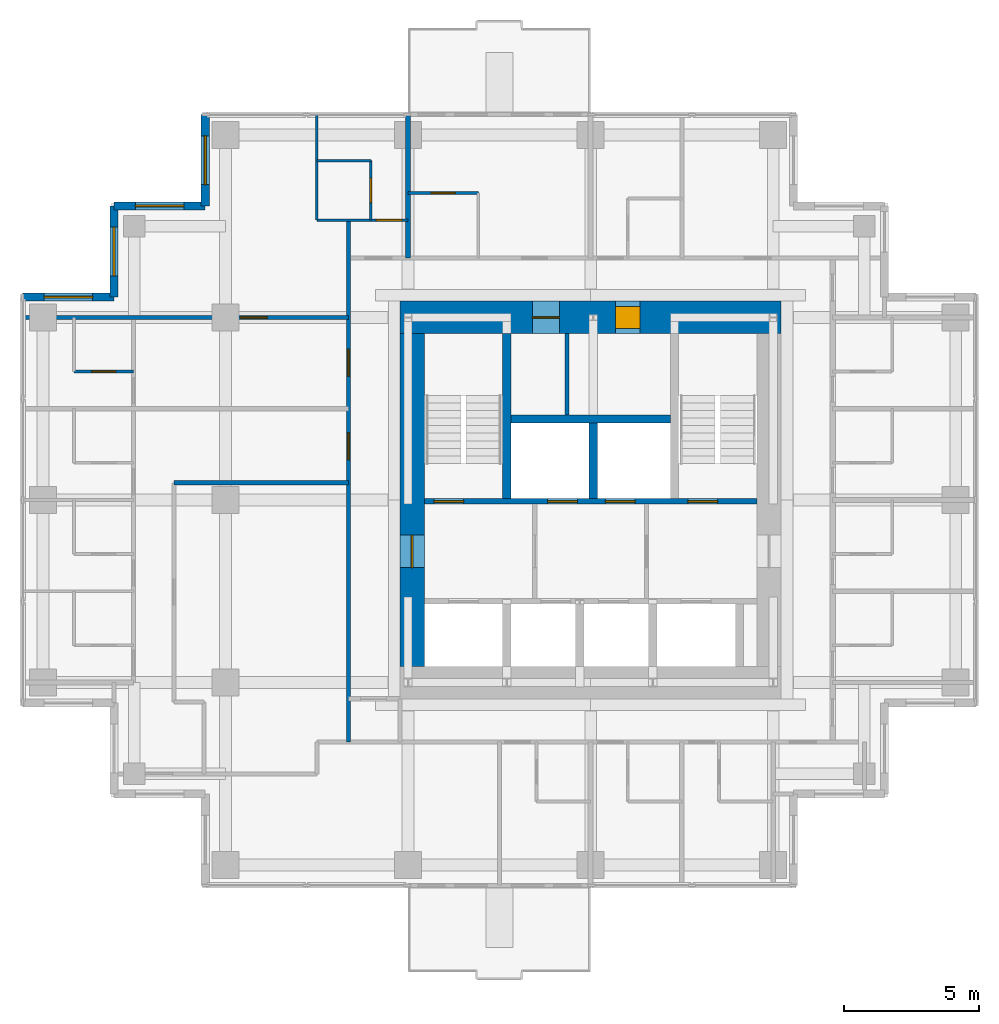
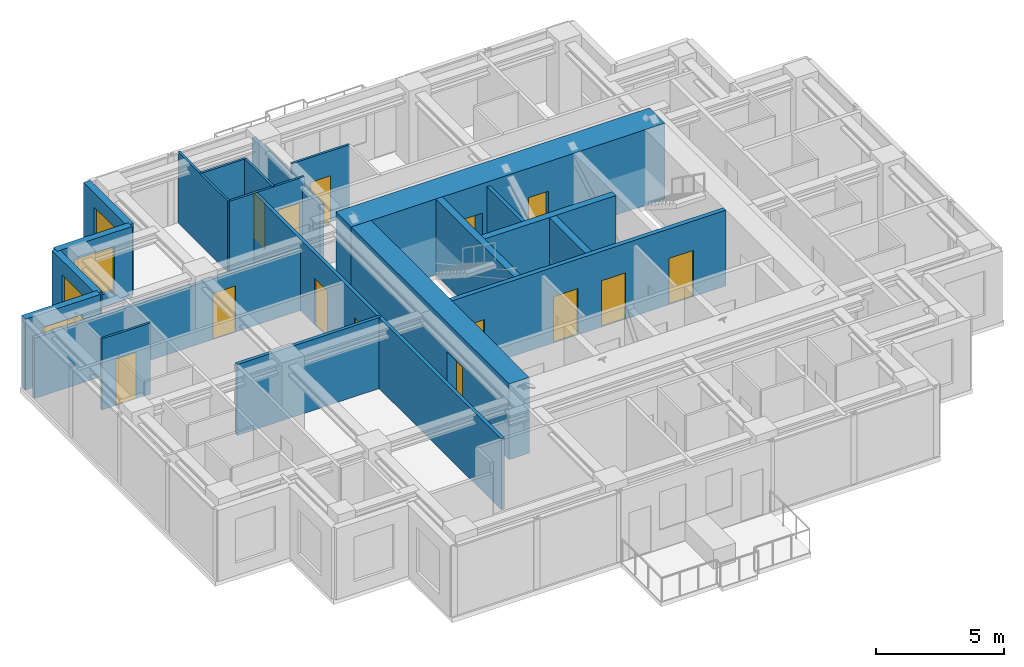
# One storey, part 5 of 8: 21 walls, 14 doors, 4 windows, 18 openings.
"""IFC4 building model written with IfcOpenShell, lengths in metres."""

from ifc_helpers import new_model, si_unit, direction, frame, frame_2d, origin, place, context, subcontext, project, spatial, rectangle, extrude, material, layer, layer_set, type_object, element, fill, save


model = new_model("IFC4")

# Units and contexts
model_context = context("Model", 3, precision=1e-05, world=origin(), true_north=direction((0.0, 1.0)))
body_context = subcontext(model_context, "Body", "Model", "MODEL_VIEW")
ifc_project = project(units=[si_unit("LENGTHUNIT", "METRE"), si_unit("AREAUNIT", "SQUARE_METRE"), si_unit("VOLUMEUNIT", "CUBIC_METRE"), si_unit("PLANEANGLEUNIT", "RADIAN"), si_unit("MASSUNIT", "GRAM", prefix="KILO")], contexts=[model_context])

# Site, building, storey
site_placement = place(None, origin())
site = spatial("IfcSite", under=ifc_project, at=site_placement, CompositionType="ELEMENT")
building_placement = place(site_placement, origin())
building = spatial("IfcBuilding", under=site, at=building_placement, Name="Nyansa Garden Tower", CompositionType="ELEMENT")
storey_placement = place(building_placement, frame((0.0, 0.0, 240.300048828125)))
storey = spatial("IfcBuildingStorey", under=building, at=storey_placement, Name="L65", CompositionType="ELEMENT", Elevation=240.300048828125)

# Wall
ifc_material_1 = material(Name="Dense blockwork, plastered both sides, 55 dB", Category="masonry")
ifc_layer_1 = layer(ifc_material_1, 0.175048828125)
ifc_layer_set_1 = layer_set([ifc_layer_1], Name="Acoustic party wall PW175")
wall_type_1 = type_object("IfcWallType", Name="Acoustic party wall PW175", PredefinedType="PARTITIONING", material=ifc_layer_set_1)
wall_1_placement = place(storey_placement, frame((13.5, 29.199951171875, 0.0), z_axis=(0.0, 0.0, 1.0), x_axis=(0.0, 1.0, 0.0)))
element("IfcWall", 1, at=wall_1_placement, inside=storey, type_object=wall_type_1, Name="Party wall", PredefinedType="PARTITIONING", context=body_context, shape_type="SweptSolid", body=[
    extrude(rectangle(XDim=5.283935546875, YDim=0.175048828125, at=frame_2d((2.64208984375, 0.0))), origin(), (0.0, 0.0, 1.0), 2.876953125),
])

# Wall, openings, doors
ifc_material_2 = material(Name="Concrete C70/85", Category="concrete")
ifc_layer_2 = layer(ifc_material_2, 0.199951171875)
ifc_layer_set_2 = layer_set([ifc_layer_2], Name="Core inner wall CI200")
wall_type_2 = type_object("IfcWallType", Name="Core inner wall CI200", PredefinedType="SHEAR", material=ifc_layer_set_2)
wall_2_placement = place(storey_placement, frame((14.10009765625, 20.199951171875, 0.0), z_axis=(0.0, 0.0, 1.0), x_axis=(1.0, 0.0, 0.0)))
wall_2 = element("IfcWall", 2, at=wall_2_placement, inside=storey, type_object=wall_type_2, Name="Core inner wall L65", PredefinedType="SHEAR", context=body_context, shape_type="SweptSolid", body=[
    extrude(rectangle(XDim=12.2998046875, YDim=0.199951171875, at=frame_2d((6.14990234375, 0.0))), origin(), (0.0, 0.0, 1.0), 3.599853515625),
])
opening_1_placement = place(wall_2_placement, frame((4.56005859375, 0.0, 0.0)))
opening_1 = element("IfcOpeningElement", 3, at=opening_1_placement, cuts=wall_2, Name="Opening LD-B", PredefinedType="OPENING", context=body_context, shape_type="SweptSolid", body=[
    extrude(rectangle(XDim=1.10009765625, YDim=2.199951171875, at=frame_2d((0.550048828125, 1.10009765625))), frame((0.0, 0.10986328125, 0.0), z_axis=(0.0, -1.0, 0.0), x_axis=(1.0, 0.0, 0.0)), (0.0, 0.0, 1.0), 0.219970703125),
])
opening_2_placement = place(wall_2_placement, frame((6.699951171875, 0.0, 0.0)))
opening_2 = element("IfcOpeningElement", 4, at=opening_2_placement, cuts=wall_2, Name="Opening LD-B", PredefinedType="OPENING", context=body_context, shape_type="SweptSolid", body=[
    extrude(rectangle(XDim=1.10009765625, YDim=2.199951171875, at=frame_2d((0.550048828125, 1.10009765625))), frame((0.0, 0.10986328125, 0.0), z_axis=(0.0, -1.0, 0.0), x_axis=(1.0, 0.0, 0.0)), (0.0, 0.0, 1.0), 0.219970703125),
])
opening_3_placement = place(wall_2_placement, frame((0.35009765625, 0.0, 0.0)))
opening_3 = element("IfcOpeningElement", 5, at=opening_3_placement, cuts=wall_2, Name="Opening D05", PredefinedType="OPENING", context=body_context, shape_type="SweptSolid", body=[
    extrude(rectangle(XDim=1.10009765625, YDim=2.199951171875, at=frame_2d((0.550048828125, 1.10009765625))), frame((0.0, 0.10986328125, 0.0), z_axis=(0.0, -1.0, 0.0), x_axis=(1.0, 0.0, 0.0)), (0.0, 0.0, 1.0), 0.219970703125),
])
opening_4_placement = place(wall_2_placement, frame((9.75, 0.0, 0.0)))
opening_4 = element("IfcOpeningElement", 6, at=opening_4_placement, cuts=wall_2, Name="Opening D05", PredefinedType="OPENING", context=body_context, shape_type="SweptSolid", body=[
    extrude(rectangle(XDim=1.10009765625, YDim=2.199951171875, at=frame_2d((0.550048828125, 1.10009765625))), frame((0.0, 0.10986328125, 0.0), z_axis=(0.0, -1.0, 0.0), x_axis=(1.0, 0.0, 0.0)), (0.0, 0.0, 1.0), 0.219970703125),
])
ifc_material_3 = material(Name="Stainless steel centre-opening landing door of the high-rise lift, E 120", Category="steel")
door_type_1 = type_object("IfcDoorType", Name="Lift landing door LD-B 1100x2200", OperationType="DOUBLE_DOOR_SLIDING", PredefinedType="DOOR", material=ifc_material_3)
door_1_placement = place(opening_1_placement, origin())
door_1 = element("IfcDoor", 7, at=door_1_placement, inside=storey, type_object=door_type_1, Name="Landing door B3", OperationType="DOUBLE_DOOR_SLIDING", OverallHeight=2.199951171875, OverallWidth=1.10009765625, PredefinedType="DOOR", context=body_context, shape_type="SweptSolid", body=[
    extrude(rectangle(XDim=1.10009765625, YDim=2.199951171875, at=frame_2d((0.550048828125, 1.10009765625))), frame((0.0, 0.02490234375, 0.0), z_axis=(0.0, -1.0, 0.0), x_axis=(1.0, 0.0, 0.0)), (0.0, 0.0, 1.0), 0.050048828125),
])
fill(opening_1, door_1)
door_2_placement = place(opening_2_placement, origin())
door_2 = element("IfcDoor", 8, at=door_2_placement, inside=storey, type_object=door_type_1, Name="Landing door B4", OperationType="DOUBLE_DOOR_SLIDING", OverallHeight=2.199951171875, OverallWidth=1.10009765625, PredefinedType="DOOR", context=body_context, shape_type="SweptSolid", body=[
    extrude(rectangle(XDim=1.10009765625, YDim=2.199951171875, at=frame_2d((0.550048828125, 1.10009765625))), frame((0.0, 0.02490234375, 0.0), z_axis=(0.0, -1.0, 0.0), x_axis=(1.0, 0.0, 0.0)), (0.0, 0.0, 1.0), 0.050048828125),
])
fill(opening_2, door_2)
ifc_material_4 = material(Name="Steel door, 120 minute fire resisting", Category="steel")
door_type_2 = type_object("IfcDoorType", Name="Stair door D05 1100x2200", OperationType="SINGLE_SWING_LEFT", PredefinedType="DOOR", material=ifc_material_4)
door_3_placement = place(opening_3_placement, origin())
door_3 = element("IfcDoor", 9, at=door_3_placement, inside=storey, type_object=door_type_2, Name="Stair S1 door", OperationType="SINGLE_SWING_LEFT", OverallHeight=2.199951171875, OverallWidth=1.10009765625, PredefinedType="DOOR", context=body_context, shape_type="SweptSolid", body=[
    extrude(rectangle(XDim=1.10009765625, YDim=2.199951171875, at=frame_2d((0.550048828125, 1.10009765625))), frame((0.0, 0.02490234375, 0.0), z_axis=(0.0, -1.0, 0.0), x_axis=(1.0, 0.0, 0.0)), (0.0, 0.0, 1.0), 0.050048828125),
])
fill(opening_3, door_3)
door_4_placement = place(opening_4_placement, origin())
door_4 = element("IfcDoor", 10, at=door_4_placement, inside=storey, type_object=door_type_2, Name="Stair S2 door", OperationType="SINGLE_SWING_LEFT", OverallHeight=2.199951171875, OverallWidth=1.10009765625, PredefinedType="DOOR", context=body_context, shape_type="SweptSolid", body=[
    extrude(rectangle(XDim=1.10009765625, YDim=2.199951171875, at=frame_2d((0.550048828125, 1.10009765625))), frame((0.0, 0.02490234375, 0.0), z_axis=(0.0, -1.0, 0.0), x_axis=(1.0, 0.0, 0.0)), (0.0, 0.0, 1.0), 0.050048828125),
])
fill(opening_4, door_4)

# Walls
ifc_material_5 = material(Name="Concrete C70/85", Category="concrete")
ifc_layer_3 = layer(ifc_material_5, 0.300048828125)
ifc_layer_set_3 = layer_set([ifc_layer_3], Name="Core inner wall CI300")
wall_type_3 = type_object("IfcWallType", Name="Core inner wall CI300", PredefinedType="SHEAR", material=ifc_layer_set_3)
wall_3_placement = place(storey_placement, frame((17.14990234375, 20.300048828125, 0.0), z_axis=(0.0, 0.0, 1.0), x_axis=(0.0, 1.0, 0.0)))
element("IfcWall", 11, at=wall_3_placement, inside=storey, type_object=wall_type_3, Name="Core inner wall L65", PredefinedType="SHEAR", context=body_context, shape_type="SweptSolid", body=[
    extrude(rectangle(XDim=6.099853515625, YDim=0.300048828125, at=frame_2d((3.0498046875, 0.0))), origin(), (0.0, 0.0, 1.0), 3.599853515625),
])
wall_4_placement = place(storey_placement, frame((20.35009765625, 20.300048828125, 0.0), z_axis=(0.0, 0.0, 1.0), x_axis=(0.0, 1.0, 0.0)))
element("IfcWall", 12, at=wall_4_placement, inside=storey, type_object=wall_type_3, Name="Core inner wall L65", PredefinedType="SHEAR", context=body_context, shape_type="SweptSolid", body=[
    extrude(rectangle(XDim=2.800048828125, YDim=0.300048828125, at=frame_2d((1.39990234375, 0.0))), origin(), (0.0, 0.0, 1.0), 3.599853515625),
])
wall_5_placement = place(storey_placement, frame((17.300048828125, 23.25, 0.0), z_axis=(0.0, 0.0, 1.0), x_axis=(1.0, 0.0, 0.0)))
element("IfcWall", 13, at=wall_5_placement, inside=storey, type_object=wall_type_3, Name="Core inner wall L65", PredefinedType="SHEAR", context=body_context, shape_type="SweptSolid", body=[
    extrude(rectangle(XDim=5.89990234375, YDim=0.300048828125, at=frame_2d((2.949951171875, 0.0))), origin(), (0.0, 0.0, 1.0), 3.599853515625),
])

# Wall, openings, doors
ifc_material_6 = material(Name="Concrete C80/95", Category="concrete")
ifc_layer_4 = layer(ifc_material_6, 1.199951171875)
ifc_layer_set_4 = layer_set([ifc_layer_4], Name="Core wall CW1200")
wall_type_4 = type_object("IfcWallType", Name="Core wall CW1200", PredefinedType="SHEAR", material=ifc_layer_set_4)
wall_6_placement = place(storey_placement, frame((27.300048828125, 27.0, 0.0), z_axis=(0.0, 0.0, 1.0), x_axis=(-1.0, 0.0, 0.0)))
wall_6 = element("IfcWall", 14, at=wall_6_placement, inside=storey, type_object=wall_type_4, Name="Core wall N L65", PredefinedType="SHEAR", context=body_context, shape_type="SweptSolid", body=[
    extrude(rectangle(XDim=14.10009765625, YDim=1.199951171875, at=frame_2d((7.050048828125, 0.0))), origin(), (0.0, 0.0, 1.0), 3.599853515625),
])
opening_5_placement = place(wall_6_placement, frame((5.22509765625, 0.0, 0.0)))
opening_5 = element("IfcOpeningElement", 15, at=opening_5_placement, cuts=wall_6, Name="Opening D15", PredefinedType="OPENING", context=body_context, shape_type="SweptSolid", body=[
    extrude(rectangle(XDim=0.89990234375, YDim=2.199951171875, at=frame_2d((0.449951171875, 1.10009765625))), frame((0.0, 0.60986328125, 0.0), z_axis=(0.0, -1.0, 0.0), x_axis=(1.0, 0.0, 0.0)), (0.0, 0.0, 1.0), 1.219970703125),
])
opening_6_placement = place(wall_6_placement, frame((8.199951171875, 0.0, 0.0)))
opening_6 = element("IfcOpeningElement", 16, at=opening_6_placement, cuts=wall_6, Name="Opening D07", PredefinedType="OPENING", context=body_context, shape_type="SweptSolid", body=[
    extrude(rectangle(XDim=1.0, YDim=2.199951171875, at=frame_2d((0.5, 1.10009765625))), frame((0.0, 0.60986328125, 0.0), z_axis=(0.0, -1.0, 0.0), x_axis=(1.0, 0.0, 0.0)), (0.0, 0.0, 1.0), 1.219970703125),
])
ifc_material_7 = material(Name="Timber flush door, 60 minute fire resisting, self-closing", Category="wood")
door_type_3 = type_object("IfcDoorType", Name="Core room door D15 900x2200", OperationType="SINGLE_SWING_LEFT", PredefinedType="DOOR", material=ifc_material_7)
door_5_placement = place(opening_5_placement, origin())
door_5 = element("IfcDoor", 17, at=door_5_placement, inside=storey, type_object=door_type_3, Name="Core room door", OperationType="SINGLE_SWING_LEFT", OverallHeight=2.199951171875, OverallWidth=0.89990234375, PredefinedType="DOOR", context=body_context, shape_type="SweptSolid", body=[
    extrude(rectangle(XDim=0.89990234375, YDim=2.199951171875, at=frame_2d((0.449951171875, 1.10009765625))), frame((0.0, 0.39990234375, 0.0), z_axis=(0.0, -1.0, 0.0), x_axis=(1.0, 0.0, 0.0)), (0.0, 0.0, 1.0), 0.800048828125),
])
fill(opening_5, door_5)
ifc_material_8 = material(Name="Steel door, 120 minute fire resisting", Category="steel")
door_type_4 = type_object("IfcDoorType", Name="Riser door D07 1000x2200", OperationType="SINGLE_SWING_LEFT", PredefinedType="DOOR", material=ifc_material_8)
door_6_placement = place(opening_6_placement, origin())
door_6 = element("IfcDoor", 18, at=door_6_placement, inside=storey, type_object=door_type_4, Name="Riser and refuse room door", OperationType="SINGLE_SWING_LEFT", OverallHeight=2.199951171875, OverallWidth=1.0, PredefinedType="DOOR", context=body_context, shape_type="SweptSolid", body=[
    extrude(rectangle(XDim=1.0, YDim=2.199951171875, at=frame_2d((0.5, 1.10009765625))), frame((0.0, 0.02490234375, 0.0), z_axis=(0.0, -1.0, 0.0), x_axis=(1.0, 0.0, 0.0)), (0.0, 0.0, 1.0), 0.050048828125),
])
fill(opening_6, door_6)

# Wall, opening, door
ifc_material_9 = material(Name="Concrete C80/95", Category="concrete")
ifc_layer_5 = layer(ifc_material_9, 0.89990234375)
ifc_layer_set_5 = layer_set([ifc_layer_5], Name="Core wall CW900")
wall_type_5 = type_object("IfcWallType", Name="Core wall CW900", PredefinedType="SHEAR", material=ifc_layer_set_5)
wall_7_placement = place(storey_placement, frame((13.64990234375, 26.39990234375, 0.0), z_axis=(0.0, 0.0, 1.0), x_axis=(0.0, -1.0, 0.0)))
wall_7 = element("IfcWall", 19, at=wall_7_placement, inside=storey, type_object=wall_type_5, Name="Core wall W L65", PredefinedType="SHEAR", context=body_context, shape_type="SweptSolid", body=[
    extrude(rectangle(XDim=12.2998046875, YDim=0.89990234375, at=frame_2d((6.14990234375, 0.0))), origin(), (0.0, 0.0, 1.0), 3.599853515625),
])
opening_7_placement = place(wall_7_placement, frame((7.449951171875, 0.0, 0.0)))
opening_7 = element("IfcOpeningElement", 20, at=opening_7_placement, cuts=wall_7, Name="Opening D06", PredefinedType="OPENING", context=body_context, shape_type="SweptSolid", body=[
    extrude(rectangle(XDim=1.199951171875, YDim=2.199951171875, at=frame_2d((0.60009765625, 1.10009765625))), frame((0.0, 0.4599609375, 0.0), z_axis=(0.0, -1.0, 0.0), x_axis=(1.0, 0.0, 0.0)), (0.0, 0.0, 1.0), 0.919921875),
])
ifc_material_10 = material(Name="Steel door, 120 minute fire resisting", Category="steel")
door_type_5 = type_object("IfcDoorType", Name="Lobby door D06 1200x2200", OperationType="DOUBLE_DOOR_SINGLE_SWING", PredefinedType="DOOR", material=ifc_material_10)
door_7_placement = place(opening_7_placement, origin())
door_7 = element("IfcDoor", 21, at=door_7_placement, inside=storey, type_object=door_type_5, Name="Lift lobby door west", OperationType="DOUBLE_DOOR_SINGLE_SWING", OverallHeight=2.199951171875, OverallWidth=1.199951171875, PredefinedType="DOOR", context=body_context, shape_type="SweptSolid", body=[
    extrude(rectangle(XDim=1.199951171875, YDim=2.199951171875, at=frame_2d((0.60009765625, 1.10009765625))), frame((0.0, 0.02490234375, 0.0), z_axis=(0.0, -1.0, 0.0), x_axis=(1.0, 0.0, 0.0)), (0.0, 0.0, 1.0), 0.050048828125),
])
fill(opening_7, door_7)

# Wall
ifc_material_11 = material(Name="Blockwork, plastered both sides", Category="masonry")
ifc_layer_6 = layer(ifc_material_11, 0.14990234375)
ifc_layer_set_6 = layer_set([ifc_layer_6], Name="Partition PW150")
wall_type_6 = type_object("IfcWallType", Name="Partition PW150", PredefinedType="PARTITIONING", material=ifc_layer_set_6)
wall_8_placement = place(storey_placement, frame((19.375, 23.39990234375, 0.0), z_axis=(0.0, 0.0, 1.0), x_axis=(0.0, 1.0, 0.0)))
element("IfcWall", 22, at=wall_8_placement, inside=storey, type_object=wall_type_6, Name="Partition", PredefinedType="PARTITIONING", context=body_context, shape_type="SweptSolid", body=[
    extrude(rectangle(XDim=3.0, YDim=0.14990234375, at=frame_2d((1.5, 0.0))), origin(), (0.0, 0.0, 1.0), 3.375),
])

# Wall, opening, door
wall_9_placement = place(storey_placement, frame((-0.73388671875, 27.0, 0.0), z_axis=(0.0, 0.0, 1.0), x_axis=(1.0, 0.0, 0.0)))
wall_9 = element("IfcWall", 23, at=wall_9_placement, inside=storey, type_object=wall_type_6, Name="Partition", PredefinedType="PARTITIONING", context=body_context, shape_type="SweptSolid", body=[
    extrude(rectangle(XDim=12.033935546875, YDim=0.14990234375, at=frame_2d((6.01708984375, 0.0))), origin(), (0.0, 0.0, 1.0), 2.876953125),
])
opening_8_placement = place(wall_9_placement, frame((8.033935546875, 0.0, 0.0)))
opening_8 = element("IfcOpeningElement", 24, at=opening_8_placement, cuts=wall_9, Name="Opening D03", PredefinedType="OPENING", context=body_context, shape_type="SweptSolid", body=[
    extrude(rectangle(XDim=1.0, YDim=2.199951171875, at=frame_2d((0.5, 1.10009765625))), frame((0.0, 0.0849609375, 0.0), z_axis=(0.0, -1.0, 0.0), x_axis=(1.0, 0.0, 0.0)), (0.0, 0.0, 1.0), 0.169921875),
])
ifc_material_12 = material(Name="Timber flush door, 60 minute fire resisting", Category="wood")
door_type_6 = type_object("IfcDoorType", Name="Cluster entrance door D03 1000x2200", OperationType="SINGLE_SWING_LEFT", PredefinedType="DOOR", material=ifc_material_12)
door_8_placement = place(opening_8_placement, origin())
door_8 = element("IfcDoor", 25, at=door_8_placement, inside=storey, type_object=door_type_6, Name="Door L65-043", OperationType="SINGLE_SWING_LEFT", OverallHeight=2.199951171875, OverallWidth=1.0, PredefinedType="DOOR", context=body_context, shape_type="SweptSolid", body=[
    extrude(rectangle(XDim=1.0, YDim=2.199951171875, at=frame_2d((0.5, 1.10009765625))), frame((0.0, 0.02490234375, 0.0), z_axis=(0.0, -1.0, 0.0), x_axis=(1.0, 0.0, 0.0)), (0.0, 0.0, 1.0), 0.050048828125),
])
fill(opening_8, door_8)

# Wall
wall_10_placement = place(storey_placement, frame((4.85009765625, 20.886962890625, 0.0), z_axis=(0.0, 0.0, 1.0), x_axis=(1.0, 0.0, 0.0)))
element("IfcWall", 26, at=wall_10_placement, inside=storey, type_object=wall_type_6, Name="Partition", PredefinedType="PARTITIONING", context=body_context, shape_type="SweptSolid", body=[
    extrude(rectangle(XDim=6.449951171875, YDim=0.14990234375, at=frame_2d((3.22509765625, 0.0))), origin(), (0.0, 0.0, 1.0), 3.375),
])

# Wall, openings, doors
wall_11_placement = place(storey_placement, frame((11.300048828125, 11.300048828125, 0.0), z_axis=(0.0, 0.0, 1.0), x_axis=(0.0, 1.0, 0.0)))
wall_11 = element("IfcWall", 27, at=wall_11_placement, inside=storey, type_object=wall_type_6, Name="Partition", PredefinedType="PARTITIONING", context=body_context, shape_type="SweptSolid", body=[
    extrude(rectangle(XDim=19.300048828125, YDim=0.14990234375, at=frame_2d((9.64990234375, 0.0))), origin(), (0.0, 0.0, 1.0), 3.375),
])
opening_9_placement = place(wall_11_placement, frame((13.52490234375, 0.0, 0.0)))
opening_9 = element("IfcOpeningElement", 28, at=opening_9_placement, cuts=wall_11, Name="Opening D03", PredefinedType="OPENING", context=body_context, shape_type="SweptSolid", body=[
    extrude(rectangle(XDim=1.0, YDim=2.199951171875, at=frame_2d((0.5, 1.10009765625))), frame((0.0, 0.0849609375, 0.0), z_axis=(0.0, -1.0, 0.0), x_axis=(1.0, 0.0, 0.0)), (0.0, 0.0, 1.0), 0.169921875),
])
opening_10_placement = place(wall_11_placement, frame((10.4375, 0.0, 0.0)))
opening_10 = element("IfcOpeningElement", 29, at=opening_10_placement, cuts=wall_11, Name="Opening D03", PredefinedType="OPENING", context=body_context, shape_type="SweptSolid", body=[
    extrude(rectangle(XDim=1.0, YDim=2.199951171875, at=frame_2d((0.5, 1.10009765625))), frame((0.0, 0.0849609375, 0.0), z_axis=(0.0, -1.0, 0.0), x_axis=(1.0, 0.0, 0.0)), (0.0, 0.0, 1.0), 0.169921875),
])
door_9_placement = place(opening_9_placement, origin())
door_9 = element("IfcDoor", 30, at=door_9_placement, inside=storey, type_object=door_type_6, Name="Door L65-046", OperationType="SINGLE_SWING_LEFT", OverallHeight=2.199951171875, OverallWidth=1.0, PredefinedType="DOOR", context=body_context, shape_type="SweptSolid", body=[
    extrude(rectangle(XDim=1.0, YDim=2.199951171875, at=frame_2d((0.5, 1.10009765625))), frame((0.0, 0.02490234375, 0.0), z_axis=(0.0, -1.0, 0.0), x_axis=(1.0, 0.0, 0.0)), (0.0, 0.0, 1.0), 0.050048828125),
])
fill(opening_9, door_9)
door_10_placement = place(opening_10_placement, origin())
door_10 = element("IfcDoor", 31, at=door_10_placement, inside=storey, type_object=door_type_6, Name="Door L65-053", OperationType="SINGLE_SWING_LEFT", OverallHeight=2.199951171875, OverallWidth=1.0, PredefinedType="DOOR", context=body_context, shape_type="SweptSolid", body=[
    extrude(rectangle(XDim=1.0, YDim=2.199951171875, at=frame_2d((0.5, 1.10009765625))), frame((0.0, 0.02490234375, 0.0), z_axis=(0.0, -1.0, 0.0), x_axis=(1.0, 0.0, 0.0)), (0.0, 0.0, 1.0), 0.050048828125),
])
fill(opening_10, door_10)

# Wall, opening, window
ifc_material_13 = material(Name="Turquoise glazed tile on concrete blockwork", Category="masonry")
ifc_layer_7 = layer(ifc_material_13, 0.300048828125)
ifc_layer_set_7 = layer_set([ifc_layer_7], Name="Tiled corner wall TW300")
wall_type_7 = type_object("IfcWallType", Name="Tiled corner wall TW300", PredefinedType="SOLIDWALL", material=ifc_layer_set_7)
wall_12_placement = place(storey_placement, frame((6.0, 34.5, 0.0), z_axis=(0.0, 0.0, 1.0), x_axis=(0.0, -1.0, 0.0)))
wall_12 = element("IfcWall", 32, at=wall_12_placement, inside=storey, type_object=wall_type_7, Name="Tiled corner wall L65", PredefinedType="SOLIDWALL", context=body_context, shape_type="SweptSolid", body=[
    extrude(rectangle(XDim=3.375, YDim=0.300048828125, at=frame_2d((1.6875, 0.0))), origin(), (0.0, 0.0, 1.0), 3.375),
])
opening_11_placement = place(wall_12_placement, frame((0.78759765625, 0.0, 0.60009765625)))
opening_11 = element("IfcOpeningElement", 33, at=opening_11_placement, cuts=wall_12, Name="Opening W2", PredefinedType="OPENING", context=body_context, shape_type="SweptSolid", body=[
    extrude(rectangle(XDim=1.800048828125, YDim=2.10009765625, at=frame_2d((0.89990234375, 1.050048828125))), frame((0.0, 0.159912109375, 0.0), z_axis=(0.0, -1.0, 0.0), x_axis=(1.0, 0.0, 0.0)), (0.0, 0.0, 1.0), 0.320068359375),
])
ifc_material_14 = material(Name="Black aluminium frame, dark tinted double glazing", Category="aluminium")
window_type = type_object("IfcWindowType", Name="Window W2 1800x2100", PartitioningType="SINGLE_PANEL", PredefinedType="WINDOW", material=ifc_material_14)
window_1_placement = place(opening_11_placement, origin())
window_1 = element("IfcWindow", 34, at=window_1_placement, inside=storey, type_object=window_type, Name="Corner window L65", OverallHeight=2.10009765625, OverallWidth=1.800048828125, PartitioningType="SINGLE_PANEL", PredefinedType="WINDOW", context=body_context, shape_type="SweptSolid", body=[
    extrude(rectangle(XDim=1.800048828125, YDim=2.10009765625, at=frame_2d((0.89990234375, 1.050048828125))), frame((0.0, 0.030029296875, 0.0), z_axis=(0.0, -1.0, 0.0), x_axis=(1.0, 0.0, 0.0)), (0.0, 0.0, 1.0), 0.06005859375),
])
fill(opening_11, window_1)

wall_13_placement = place(storey_placement, frame((6.0, 31.125, 0.0), z_axis=(0.0, 0.0, 1.0), x_axis=(-1.0, 0.0, 0.0)))
wall_13 = element("IfcWall", 35, at=wall_13_placement, inside=storey, type_object=wall_type_7, Name="Tiled corner wall L65", PredefinedType="SOLIDWALL", context=body_context, shape_type="SweptSolid", body=[
    extrude(rectangle(XDim=3.375, YDim=0.300048828125, at=frame_2d((1.6875, 0.0))), origin(), (0.0, 0.0, 1.0), 3.375),
])
opening_12_placement = place(wall_13_placement, frame((0.78759765625, 0.0, 0.60009765625)))
opening_12 = element("IfcOpeningElement", 36, at=opening_12_placement, cuts=wall_13, Name="Opening W2", PredefinedType="OPENING", context=body_context, shape_type="SweptSolid", body=[
    extrude(rectangle(XDim=1.800048828125, YDim=2.10009765625, at=frame_2d((0.89990234375, 1.050048828125))), frame((0.0, 0.159912109375, 0.0), z_axis=(0.0, -1.0, 0.0), x_axis=(1.0, 0.0, 0.0)), (0.0, 0.0, 1.0), 0.320068359375),
])
window_2_placement = place(opening_12_placement, origin())
window_2 = element("IfcWindow", 37, at=window_2_placement, inside=storey, type_object=window_type, Name="Corner window L65", OverallHeight=2.10009765625, OverallWidth=1.800048828125, PartitioningType="SINGLE_PANEL", PredefinedType="WINDOW", context=body_context, shape_type="SweptSolid", body=[
    extrude(rectangle(XDim=1.800048828125, YDim=2.10009765625, at=frame_2d((0.89990234375, 1.050048828125))), frame((0.0, 0.030029296875, 0.0), z_axis=(0.0, -1.0, 0.0), x_axis=(1.0, 0.0, 0.0)), (0.0, 0.0, 1.0), 0.06005859375),
])
fill(opening_12, window_2)

wall_14_placement = place(storey_placement, frame((2.625, 31.125, 0.0), z_axis=(0.0, 0.0, 1.0), x_axis=(0.0, -1.0, 0.0)))
wall_14 = element("IfcWall", 38, at=wall_14_placement, inside=storey, type_object=wall_type_7, Name="Tiled corner wall L65", PredefinedType="SOLIDWALL", context=body_context, shape_type="SweptSolid", body=[
    extrude(rectangle(XDim=3.375, YDim=0.300048828125, at=frame_2d((1.6875, 0.0))), origin(), (0.0, 0.0, 1.0), 3.375),
])
opening_13_placement = place(wall_14_placement, frame((0.78759765625, 0.0, 0.60009765625)))
opening_13 = element("IfcOpeningElement", 39, at=opening_13_placement, cuts=wall_14, Name="Opening W2", PredefinedType="OPENING", context=body_context, shape_type="SweptSolid", body=[
    extrude(rectangle(XDim=1.800048828125, YDim=2.10009765625, at=frame_2d((0.89990234375, 1.050048828125))), frame((0.0, 0.159912109375, 0.0), z_axis=(0.0, -1.0, 0.0), x_axis=(1.0, 0.0, 0.0)), (0.0, 0.0, 1.0), 0.320068359375),
])
window_3_placement = place(opening_13_placement, origin())
window_3 = element("IfcWindow", 40, at=window_3_placement, inside=storey, type_object=window_type, Name="Corner window L65", OverallHeight=2.10009765625, OverallWidth=1.800048828125, PartitioningType="SINGLE_PANEL", PredefinedType="WINDOW", context=body_context, shape_type="SweptSolid", body=[
    extrude(rectangle(XDim=1.800048828125, YDim=2.10009765625, at=frame_2d((0.89990234375, 1.050048828125))), frame((0.0, 0.030029296875, 0.0), z_axis=(0.0, -1.0, 0.0), x_axis=(1.0, 0.0, 0.0)), (0.0, 0.0, 1.0), 0.06005859375),
])
fill(opening_13, window_3)

wall_15_placement = place(storey_placement, frame((2.625, 27.75, 0.0), z_axis=(0.0, 0.0, 1.0), x_axis=(-1.0, 0.0, 0.0)))
wall_15 = element("IfcWall", 41, at=wall_15_placement, inside=storey, type_object=wall_type_7, Name="Tiled corner wall L65", PredefinedType="SOLIDWALL", context=body_context, shape_type="SweptSolid", body=[
    extrude(rectangle(XDim=3.375, YDim=0.300048828125, at=frame_2d((1.6875, 0.0))), origin(), (0.0, 0.0, 1.0), 3.375),
])
opening_14_placement = place(wall_15_placement, frame((0.78759765625, 0.0, 0.60009765625)))
opening_14 = element("IfcOpeningElement", 42, at=opening_14_placement, cuts=wall_15, Name="Opening W2", PredefinedType="OPENING", context=body_context, shape_type="SweptSolid", body=[
    extrude(rectangle(XDim=1.800048828125, YDim=2.10009765625, at=frame_2d((0.89990234375, 1.050048828125))), frame((0.0, 0.159912109375, 0.0), z_axis=(0.0, -1.0, 0.0), x_axis=(1.0, 0.0, 0.0)), (0.0, 0.0, 1.0), 0.320068359375),
])
window_4_placement = place(opening_14_placement, origin())
window_4 = element("IfcWindow", 43, at=window_4_placement, inside=storey, type_object=window_type, Name="Corner window L65", OverallHeight=2.10009765625, OverallWidth=1.800048828125, PartitioningType="SINGLE_PANEL", PredefinedType="WINDOW", context=body_context, shape_type="SweptSolid", body=[
    extrude(rectangle(XDim=1.800048828125, YDim=2.10009765625, at=frame_2d((0.89990234375, 1.050048828125))), frame((0.0, 0.030029296875, 0.0), z_axis=(0.0, -1.0, 0.0), x_axis=(1.0, 0.0, 0.0)), (0.0, 0.0, 1.0), 0.06005859375),
])
fill(opening_14, window_4)

# Wall, opening, door
ifc_material_15 = material(Name="Moisture resistant board on steel studs, tiled", Category="steel")
ifc_layer_8 = layer(ifc_material_15, 0.10009765625)
ifc_layer_set_8 = layer_set([ifc_layer_8], Name="Wet wall PW100")
wall_type_8 = type_object("IfcWallType", Name="Wet wall PW100", PredefinedType="PARTITIONING", material=ifc_layer_set_8)
wall_16_placement = place(storey_placement, frame((1.14990234375, 25.0, 0.0), z_axis=(0.0, 0.0, 1.0), x_axis=(1.0, 0.0, 0.0)))
wall_16 = element("IfcWall", 44, at=wall_16_placement, inside=storey, type_object=wall_type_8, Name="Wet wall", PredefinedType="PARTITIONING", context=body_context, shape_type="SweptSolid", body=[
    extrude(rectangle(XDim=2.2001953125, YDim=0.10009765625, at=frame_2d((1.10009765625, 0.0))), origin(), (0.0, 0.0, 1.0), 3.375),
])
opening_15_placement = place(wall_16_placement, frame((0.64990234375, 0.0, 0.0)))
opening_15 = element("IfcOpeningElement", 45, at=opening_15_placement, cuts=wall_16, Name="Opening D02", PredefinedType="OPENING", context=body_context, shape_type="SweptSolid", body=[
    extrude(rectangle(XDim=0.89990234375, YDim=2.199951171875, at=frame_2d((0.449951171875, 1.10009765625))), frame((0.0, 0.06005859375, 0.0), z_axis=(0.0, -1.0, 0.0), x_axis=(1.0, 0.0, 0.0)), (0.0, 0.0, 1.0), 0.1201171875),
])
ifc_material_16 = material(Name="Timber flush door", Category="wood")
door_type_7 = type_object("IfcDoorType", Name="En-suite door D02 900x2200", OperationType="SINGLE_SWING_RIGHT", PredefinedType="DOOR", material=ifc_material_16)
door_11_placement = place(opening_15_placement, origin())
door_11 = element("IfcDoor", 46, at=door_11_placement, inside=storey, type_object=door_type_7, Name="Door L65-045", OperationType="SINGLE_SWING_RIGHT", OverallHeight=2.199951171875, OverallWidth=0.89990234375, PredefinedType="DOOR", context=body_context, shape_type="SweptSolid", body=[
    extrude(rectangle(XDim=0.89990234375, YDim=2.199951171875, at=frame_2d((0.449951171875, 1.10009765625))), frame((0.0, 0.02490234375, 0.0), z_axis=(0.0, -1.0, 0.0), x_axis=(1.0, 0.0, 0.0)), (0.0, 0.0, 1.0), 0.050048828125),
])
fill(opening_15, door_11)

# Wall
wall_17_placement = place(storey_placement, frame((10.125, 30.60009765625, 0.0), z_axis=(0.0, 0.0, 1.0), x_axis=(0.0, 1.0, 0.0)))
element("IfcWall", 47, at=wall_17_placement, inside=storey, type_object=wall_type_8, Name="Wet wall", PredefinedType="PARTITIONING", context=body_context, shape_type="SweptSolid", body=[
    extrude(rectangle(XDim=3.8837890625, YDim=0.10009765625, at=frame_2d((1.94189453125, 0.0))), origin(), (0.0, 0.0, 1.0), 3.375),
])

# Wall, opening, door
wall_18_placement = place(storey_placement, frame((10.125, 30.60009765625, 0.0), z_axis=(0.0, 0.0, 1.0), x_axis=(1.0, 0.0, 0.0)))
wall_18 = element("IfcWall", 48, at=wall_18_placement, inside=storey, type_object=wall_type_8, Name="Wet wall", PredefinedType="PARTITIONING", context=body_context, shape_type="SweptSolid", body=[
    extrude(rectangle(XDim=3.375, YDim=0.10009765625, at=frame_2d((1.6875, 0.0))), origin(), (0.0, 0.0, 1.0), 3.375),
])
opening_16_placement = place(wall_18_placement, frame((2.199951171875, 0.0, 0.0)))
opening_16 = element("IfcOpeningElement", 49, at=opening_16_placement, cuts=wall_18, Name="Opening D14", PredefinedType="OPENING", context=body_context, shape_type="SweptSolid", body=[
    extrude(rectangle(XDim=0.949951171875, YDim=2.199951171875, at=frame_2d((0.47509765625, 1.10009765625))), frame((0.0, 0.06005859375, 0.0), z_axis=(0.0, -1.0, 0.0), x_axis=(1.0, 0.0, 0.0)), (0.0, 0.0, 1.0), 0.1201171875),
])
ifc_material_17 = material(Name="Timber flush door, 60 minute fire resisting, self-closing", Category="wood")
door_type_8 = type_object("IfcDoorType", Name="Studio entrance door D14 950x2200", OperationType="SINGLE_SWING_LEFT", PredefinedType="DOOR", material=ifc_material_17)
door_12_placement = place(opening_16_placement, origin())
door_12 = element("IfcDoor", 50, at=door_12_placement, inside=storey, type_object=door_type_8, Name="Door L65-038", OperationType="SINGLE_SWING_LEFT", OverallHeight=2.199951171875, OverallWidth=0.949951171875, PredefinedType="DOOR", context=body_context, shape_type="SweptSolid", body=[
    extrude(rectangle(XDim=0.949951171875, YDim=2.199951171875, at=frame_2d((0.47509765625, 1.10009765625))), frame((0.0, 0.02490234375, 0.0), z_axis=(0.0, -1.0, 0.0), x_axis=(1.0, 0.0, 0.0)), (0.0, 0.0, 1.0), 0.050048828125),
])
fill(opening_16, door_12)

# Wall
wall_19_placement = place(storey_placement, frame((10.125, 32.800048828125, 0.0), z_axis=(0.0, 0.0, 1.0), x_axis=(1.0, 0.0, 0.0)))
element("IfcWall", 51, at=wall_19_placement, inside=storey, type_object=wall_type_8, Name="Wet wall", PredefinedType="PARTITIONING", context=body_context, shape_type="SweptSolid", body=[
    extrude(rectangle(XDim=2.0, YDim=0.10009765625, at=frame_2d((1.0, 0.0))), origin(), (0.0, 0.0, 1.0), 3.375),
])

# Wall, opening, door
wall_20_placement = place(storey_placement, frame((12.125, 30.60009765625, 0.0), z_axis=(0.0, 0.0, 1.0), x_axis=(0.0, 1.0, 0.0)))
wall_20 = element("IfcWall", 52, at=wall_20_placement, inside=storey, type_object=wall_type_8, Name="Wet wall", PredefinedType="PARTITIONING", context=body_context, shape_type="SweptSolid", body=[
    extrude(rectangle(XDim=2.199951171875, YDim=0.10009765625, at=frame_2d((1.10009765625, 0.0))), origin(), (0.0, 0.0, 1.0), 3.375),
])
opening_17_placement = place(wall_20_placement, frame((0.64990234375, 0.0, 0.0)))
opening_17 = element("IfcOpeningElement", 53, at=opening_17_placement, cuts=wall_20, Name="Opening D02", PredefinedType="OPENING", context=body_context, shape_type="SweptSolid", body=[
    extrude(rectangle(XDim=0.89990234375, YDim=2.199951171875, at=frame_2d((0.449951171875, 1.10009765625))), frame((0.0, 0.06005859375, 0.0), z_axis=(0.0, -1.0, 0.0), x_axis=(1.0, 0.0, 0.0)), (0.0, 0.0, 1.0), 0.1201171875),
])
door_13_placement = place(opening_17_placement, origin())
door_13 = element("IfcDoor", 54, at=door_13_placement, inside=storey, type_object=door_type_7, Name="Door L65-039", OperationType="SINGLE_SWING_RIGHT", OverallHeight=2.199951171875, OverallWidth=0.89990234375, PredefinedType="DOOR", context=body_context, shape_type="SweptSolid", body=[
    extrude(rectangle(XDim=0.89990234375, YDim=2.199951171875, at=frame_2d((0.449951171875, 1.10009765625))), frame((0.0, 0.02490234375, 0.0), z_axis=(0.0, -1.0, 0.0), x_axis=(1.0, 0.0, 0.0)), (0.0, 0.0, 1.0), 0.050048828125),
])
fill(opening_17, door_13)

wall_21_placement = place(storey_placement, frame((13.5, 31.60009765625, 0.0), z_axis=(0.0, 0.0, 1.0), x_axis=(1.0, 0.0, 0.0)))
wall_21 = element("IfcWall", 55, at=wall_21_placement, inside=storey, type_object=wall_type_8, Name="Wet wall", PredefinedType="PARTITIONING", context=body_context, shape_type="SweptSolid", body=[
    extrude(rectangle(XDim=2.60009765625, YDim=0.10009765625, at=frame_2d((1.300048828125, 0.0))), origin(), (0.0, 0.0, 1.0), 3.375),
])
opening_18_placement = place(wall_21_placement, frame((0.85009765625, 0.0, 0.0)))
opening_18 = element("IfcOpeningElement", 56, at=opening_18_placement, cuts=wall_21, Name="Opening D02", PredefinedType="OPENING", context=body_context, shape_type="SweptSolid", body=[
    extrude(rectangle(XDim=0.89990234375, YDim=2.199951171875, at=frame_2d((0.449951171875, 1.10009765625))), frame((0.0, 0.06005859375, 0.0), z_axis=(0.0, -1.0, 0.0), x_axis=(1.0, 0.0, 0.0)), (0.0, 0.0, 1.0), 0.1201171875),
])
door_14_placement = place(opening_18_placement, origin())
door_14 = element("IfcDoor", 57, at=door_14_placement, inside=storey, type_object=door_type_7, Name="Door L65-037", OperationType="SINGLE_SWING_RIGHT", OverallHeight=2.199951171875, OverallWidth=0.89990234375, PredefinedType="DOOR", context=body_context, shape_type="SweptSolid", body=[
    extrude(rectangle(XDim=0.89990234375, YDim=2.199951171875, at=frame_2d((0.449951171875, 1.10009765625))), frame((0.0, 0.02490234375, 0.0), z_axis=(0.0, -1.0, 0.0), x_axis=(1.0, 0.0, 0.0)), (0.0, 0.0, 1.0), 0.050048828125),
])
fill(opening_18, door_14)

save(model, "model.ifc")
